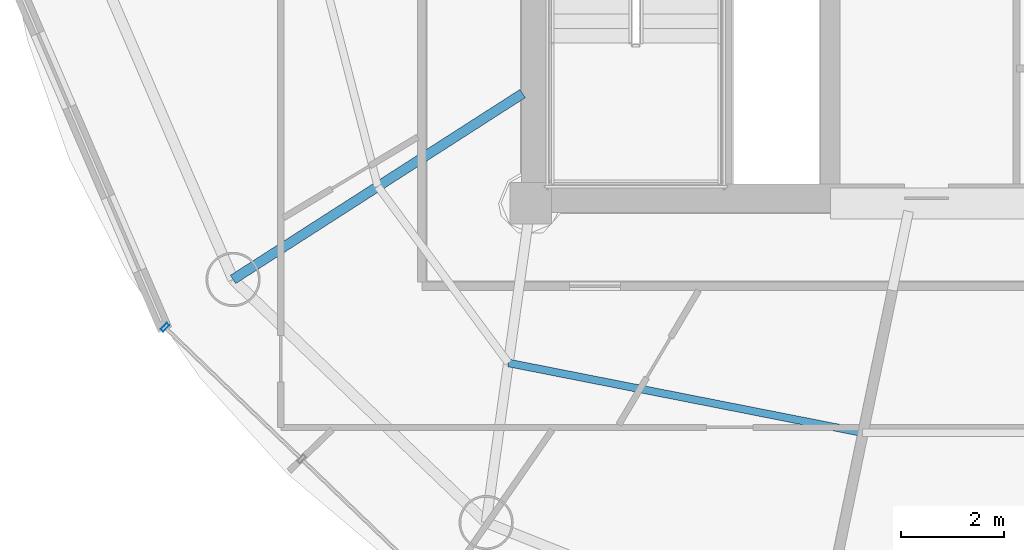
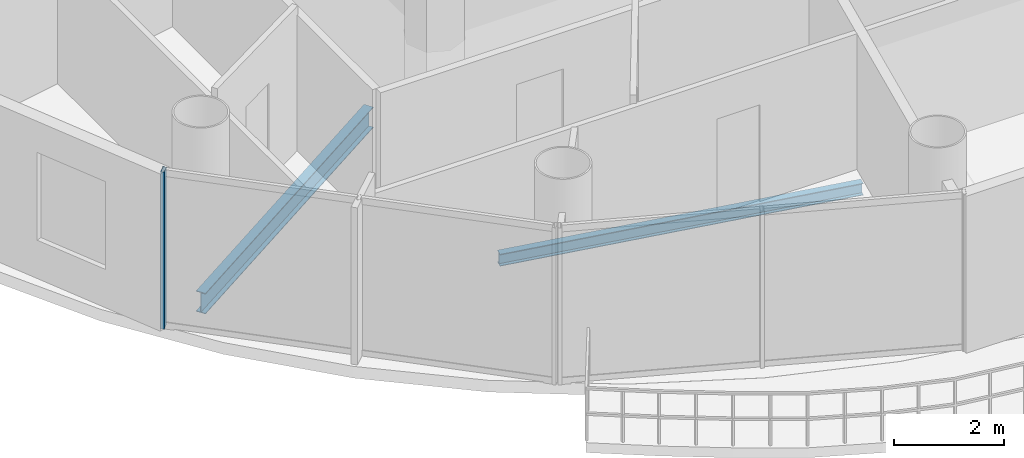
# One storey, part 3 of 23: 2 beams, 1 member, 1 element without a shape of its own.
"""IFC4 building model written with IfcOpenShell, lengths in metres."""

from ifc_helpers import new_model, si_unit, direction, frame, origin, origin_2d, place, context, subcontext, project, spatial, hollow_rectangle, i_section, extrude, source, transform, mapped, material, material_profile, profile_set, type_object, element, aggregate, save


model = new_model("IFC4")

# Units and contexts
model_context = context("Model", 3, precision=1e-05, world=origin(), true_north=direction((-0.2419218956, 0.970295726276)))
body_context = subcontext(model_context, "Body", "Model", "MODEL_VIEW")
ifc_project = project(units=[si_unit("LENGTHUNIT", "METRE"), si_unit("AREAUNIT", "SQUARE_METRE"), si_unit("VOLUMEUNIT", "CUBIC_METRE"), si_unit("PLANEANGLEUNIT", "RADIAN"), si_unit("MASSUNIT", "GRAM", prefix="KILO")], contexts=[model_context])

# Site, building, storey
site_placement = place(None, origin())
site = spatial("IfcSite", under=ifc_project, at=site_placement, CompositionType="ELEMENT")
building_placement = place(site_placement, origin())
building = spatial("IfcBuilding", under=site, at=building_placement, Name="Cobrevalo Terracotta Tower", CompositionType="ELEMENT")
storey_placement = place(building_placement, frame((0.0, 0.0, 248.199951171875)))
storey = spatial("IfcBuildingStorey", under=building, at=storey_placement, Name="L65", CompositionType="ELEMENT", Elevation=248.199951171875)

# Beams
ifc_material_1 = material(Name="Steel S355", Category="steel")
ifc_material_profile_1 = material_profile(ifc_material_1, i_section(OverallWidth=0.19091796875, OverallDepth=0.4599609375, WebThickness=0.010009765625, FlangeThickness=0.01611328125, at=origin_2d()), Name="W 460x82")
ifc_profile_set_1 = profile_set([ifc_material_profile_1], Name="Steel S355")
beam_type_1 = type_object("IfcBeamType", Name="Structural Beam W 460x82 (Steel S355)", PredefinedType="BEAM", material=ifc_profile_set_1)
beam_1_placement = place(storey_placement, frame((23.241455078125, 17.32763671875, -0.489990234375), z_axis=(0.84157615512, 0.540138477739, 0.0), x_axis=(-0.540138477739, 0.84157615512, 0.0)))
element("IfcBeam", 1, at=beam_1_placement, inside=storey, type_object=beam_type_1, Name="L65 radial floor girder 10", PredefinedType="BEAM", context=body_context, shape_type="SweptSolid", body=[
    extrude(i_section(OverallWidth=0.19091796875, OverallDepth=0.4599609375, WebThickness=0.010009765625, FlangeThickness=0.01611328125, at=origin_2d()), origin(), (0.0, 0.0, 1.0), 6.658447265625),
])
ifc_material_profile_2 = material_profile(ifc_material_1, i_section(OverallWidth=0.14794921875, OverallDepth=0.26611328125, WebThickness=0.007568359375, FlangeThickness=0.012939453125, at=origin_2d()), Name="W 250x44.8")
ifc_profile_set_2 = profile_set([ifc_material_profile_2], Name="Steel S355")
beam_type_2 = type_object("IfcBeamType", Name="Structural Joist W 250x44.8 (Steel S355)", PredefinedType="JOIST", material=ifc_profile_set_2)
beam_2_placement = place(storey_placement, frame((28.5693359375, 15.711669921875, -0.39306640625), z_axis=(0.981145060421, -0.193272787563, 0.0), x_axis=(0.193272787563, 0.981145060421, 0.0)))
element("IfcBeam", 2, at=beam_2_placement, inside=storey, type_object=beam_type_2, Name="L65 circumferential secondary floor joist 11", PredefinedType="JOIST", context=body_context, shape_type="SweptSolid", body=[
    extrude(i_section(OverallWidth=0.14794921875, OverallDepth=0.26611328125, WebThickness=0.007568359375, FlangeThickness=0.012939453125, at=origin_2d()), origin(), (0.0, 0.0, 1.0), 6.98681640625),
])

# Curtain wall, member
ifc_material_2 = material(Name="Anodized aluminium", Category="aluminium")
curtain_wall_type = type_object("IfcCurtainWallType", Name="Upper-tower triple-glazed penthouse curtain wall CW-U3", PredefinedType="NOTDEFINED", material=ifc_material_2)
curtain_wall_placement = place(storey_placement, origin())
curtain_wall = element("IfcCurtainWall", 3, at=curtain_wall_placement, inside=storey, type_object=curtain_wall_type, Name="L65 curtain wall CW-L65-S10", PredefinedType="NOTDEFINED")
ifc_material_profile_3 = material_profile(ifc_material_2, hollow_rectangle(XDim=0.070068359375, YDim=0.169921875, WallThickness=0.00439453125, at=origin_2d()), Name="CWM 70x170")
ifc_profile_set_3 = profile_set([ifc_material_profile_3], Name="Anodized aluminium")
member_type = type_object("IfcMemberType", Name="Upper tower unitised mullion 70x170", PredefinedType="MULLION", material=ifc_profile_set_3)
shared_shape = source(origin(), body_context, "Body", "SweptSolid", [
    extrude(hollow_rectangle(XDim=0.070068359375, YDim=0.169921875, WallThickness=0.00439453125, at=origin_2d()), origin(), (0.0, 0.0, 1.0), 3.489990234375),
])
member_placement = place(storey_placement, frame((21.92333984375, 16.399658203125, 0.0), z_axis=(0.0, 0.0, 1.0), x_axis=(0.71999418085, -0.69398010025, 0.0)))
member = element("IfcMember", 4, at=member_placement, type_object=member_type, Name="CW-L65-S10 vertical mullion 01", PredefinedType="MULLION", context=body_context, shape_type="MappedRepresentation", body=[
    mapped(shared_shape, transform((0.0, 0.0, 0.0), scale=1.0)),
])
aggregate(curtain_wall, [member])

save(model, "model.ifc")
